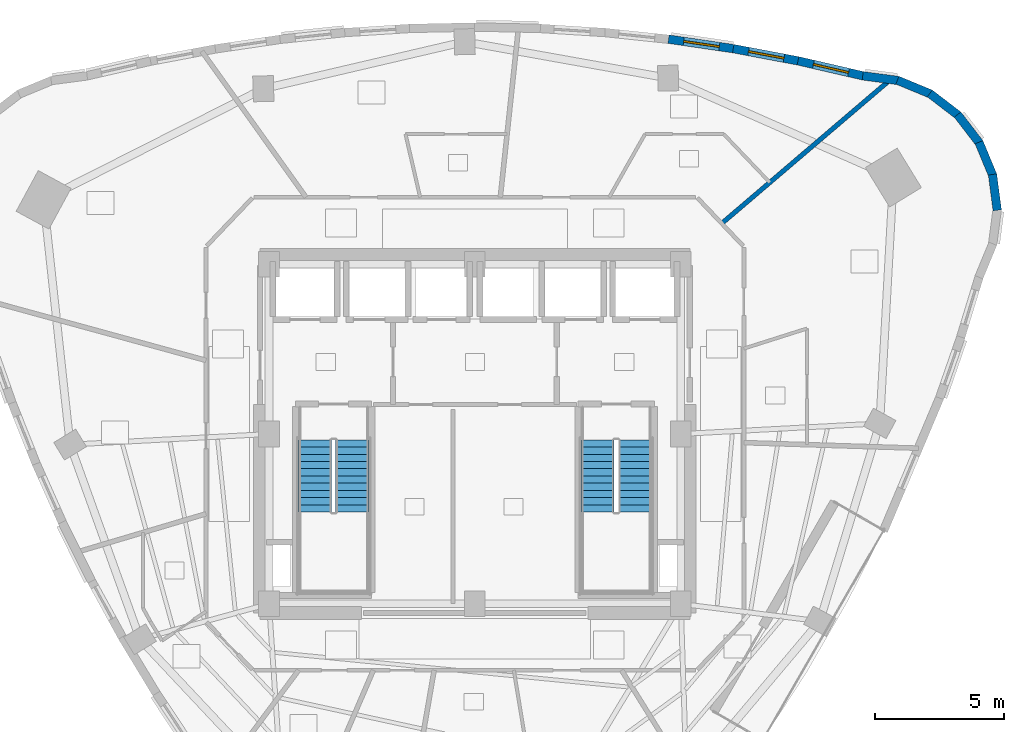
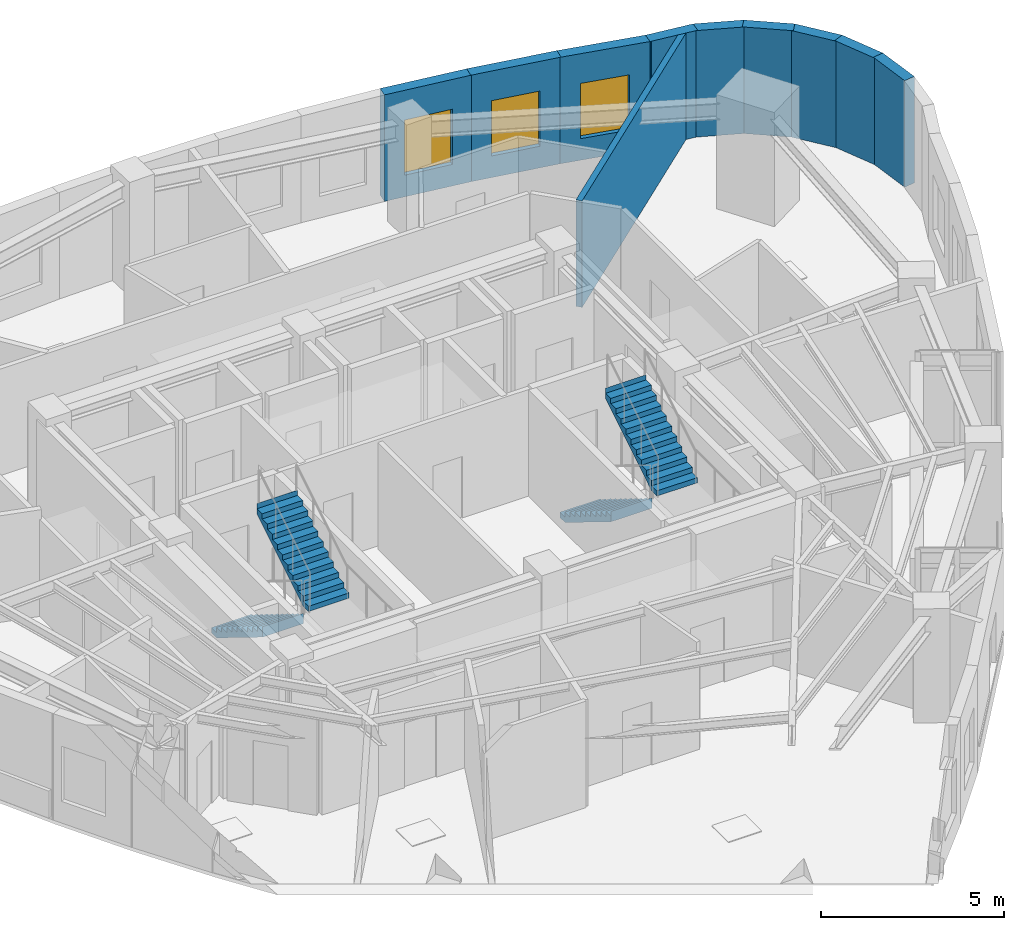
# One storey, part 9 of 12: 10 walls, 4 stair flights, 3 windows, 3 openings, 2 elements without a shape of their own.
"""IFC4 building model written with IfcOpenShell, lengths in metres."""

from ifc_helpers import new_model, si_unit, direction, frame, frame_2d, origin, place, context, subcontext, project, spatial, polyline, rectangle, outline, extrude, material, layer, layer_set, type_object, element, fill, aggregate, save


model = new_model("IFC4")

# Units and contexts
model_context = context("Model", 3, precision=1e-05, world=origin(), true_north=direction((0.0, 1.0)))
body_context = subcontext(model_context, "Body", "Model", "MODEL_VIEW")
ifc_project = project(units=[si_unit("LENGTHUNIT", "METRE"), si_unit("AREAUNIT", "SQUARE_METRE"), si_unit("VOLUMEUNIT", "CUBIC_METRE"), si_unit("PLANEANGLEUNIT", "RADIAN"), si_unit("MASSUNIT", "GRAM", prefix="KILO")], contexts=[model_context])

# Site, building, storey
site_placement = place(None, origin())
site = spatial("IfcSite", under=ifc_project, at=site_placement, CompositionType="ELEMENT")
building_placement = place(site_placement, origin())
building = spatial("IfcBuilding", under=site, at=building_placement, Name="Ndelora Gate Hotel", CompositionType="ELEMENT")
storey_placement = place(building_placement, frame((0.0, 0.0, 209.35009765625)))
storey = spatial("IfcBuildingStorey", under=building, at=storey_placement, Name="L52", CompositionType="ELEMENT", Elevation=209.35009765625)

# Walls
ifc_material_1 = material(Name="Acoustic Double-Stud Gypsum Assembly", Category="gypsum")
ifc_layer_1 = layer(ifc_material_1, 0.179931640625)
ifc_layer_set_1 = layer_set([ifc_layer_1], Name="Acoustic Double-Stud Gypsum Assembly")
wall_type_1 = type_object("IfcWallType", Name="WL-ACOUST-180", PredefinedType="PARTITIONING", material=ifc_layer_set_1)
wall_1_placement = place(storey_placement, frame((9.591064453125, 8.18115234375, 0.0), z_axis=(0.0, 0.0, 1.0), x_axis=(0.760815854362, 0.648967823356, 0.0)))
element("IfcWall", 1, at=wall_1_placement, inside=storey, type_object=wall_type_1, Name="L52 Interior Wall IW-3", PredefinedType="PARTITIONING", context=body_context, shape_type="SweptSolid", body=[
    extrude(rectangle(XDim=8.619873046875, YDim=0.179931640625, at=frame_2d((4.31005859375, 0.0))), origin(), (0.0, 0.0, 1.0), 3.5498046875),
])
ifc_material_2 = material(Name="Clay Brick Masonry", Category="masonry")
ifc_layer_2 = layer(ifc_material_2, 0.330078125)
ifc_layer_set_2 = layer_set([ifc_layer_2], Name="Clay Brick Masonry")
wall_type_2 = type_object("IfcWallType", Name="WL-BRICK-330", PredefinedType="SOLIDWALL", material=ifc_layer_set_2)
for number, where, z_axis, x_axis, name in (
    (2, (20.11279296875, 10.084716796875, 0.0), (0.0, 0.0, 1.0), (0.130607061093, -0.991434211429, 0.0), "L52 Tower Brick Pier-and-Spandrel Wall TWR-41"),
    (3, (19.587158203125, 11.337158203125, 0.0), (0.0, 0.0, 1.0), (0.382668413767, -0.923885753275, 0.0), "L52 Tower Brick Pier-and-Spandrel Wall TWR-42"),
    (4, (18.755126953125, 12.410888671875, 0.0), (0.0, 0.0, 1.0), (0.608679143886, -0.793416473107, 0.0), "L52 Tower Brick Pier-and-Spandrel Wall TWR-43"),
):
    element("IfcWall", number, at=place(storey_placement, frame(where, z_axis=z_axis, x_axis=x_axis)), inside=storey, type_object=wall_type_2, Name=name, PredefinedType="SOLIDWALL", context=body_context, shape_type="SweptSolid", body=[
        extrude(rectangle(XDim=1.407470703125, YDim=0.330078125, at=frame_2d((0.70361328125, 0.0))), origin(), (0.0, 0.0, 1.0), 3.5498046875),
    ])
wall_2_placement = place(storey_placement, frame((17.673583984375, 13.232666015625, 0.0), z_axis=(0.0, 0.0, 1.0), x_axis=(0.793352193746, -0.608762923213, 0.0)))
element("IfcWall", 5, at=wall_2_placement, inside=storey, type_object=wall_type_2, Name="L52 Tower Brick Pier-and-Spandrel Wall TWR-44", PredefinedType="SOLIDWALL", context=body_context, shape_type="SweptSolid", body=[
    extrude(rectangle(XDim=1.4072265625, YDim=0.330078125, at=frame_2d((0.70361328125, 0.0))), origin(), (0.0, 0.0, 1.0), 3.5498046875),
])
for number, where, z_axis, x_axis, name in (
    (6, (16.416015625, 13.74658203125, 0.0), (0.0, 0.0, 1.0), (0.923885753275, -0.382668413767, 0.0), "L52 Tower Brick Pier-and-Spandrel Wall TWR-45"),
    (7, (15.068603515625, 13.91748046875, 0.0), (0.0, 0.0, 1.0), (0.991434211429, -0.130607061093, 0.0), "L52 Tower Brick Pier-and-Spandrel Wall TWR-46"),
):
    element("IfcWall", number, at=place(storey_placement, frame(where, z_axis=z_axis, x_axis=x_axis)), inside=storey, type_object=wall_type_2, Name=name, PredefinedType="SOLIDWALL", context=body_context, shape_type="SweptSolid", body=[
        extrude(rectangle(XDim=1.407470703125, YDim=0.330078125, at=frame_2d((0.70361328125, 0.0))), origin(), (0.0, 0.0, 1.0), 3.5498046875),
    ])

# Wall, opening, window
wall_3_placement = place(storey_placement, frame((12.553466796875, 14.500244140625, 0.0), z_axis=(0.0, 0.0, 1.0), x_axis=(0.974386504753, -0.224879833145, 0.0)))
wall_3 = element("IfcWall", 8, at=wall_3_placement, inside=storey, type_object=wall_type_2, Name="L52 Tower Brick Pier-and-Spandrel Wall TWR-47", PredefinedType="SOLIDWALL", context=body_context, shape_type="SweptSolid", body=[
    extrude(rectangle(XDim=2.631591796875, YDim=0.330078125, at=frame_2d((1.31591796875, 0.0))), origin(), (0.0, 0.0, 1.0), 3.5498046875),
])
opening_1_placement = place(wall_3_placement, frame((0.61572265625, 0.0, 0.719970703125)))
opening_1 = element("IfcOpeningElement", 9, at=opening_1_placement, cuts=wall_3, Name="Opening W02", PredefinedType="OPENING", context=body_context, shape_type="SweptSolid", body=[
    extrude(rectangle(XDim=1.39990234375, YDim=1.840087890625, at=frame_2d((0.699951171875, 0.919921875))), frame((0.0, 0.175048828125, 0.0), z_axis=(0.0, -1.0, 0.0), x_axis=(1.0, 0.0, 0.0)), (0.0, 0.0, 1.0), 0.35009765625),
])
ifc_material_3 = material(Name="Insulated Low-E Double Glazing in Bronze Aluminium Frame", Category="aluminium")
window_type = type_object("IfcWindowType", Name="WN-DEEP-1400", PartitioningType="SINGLE_PANEL", PredefinedType="WINDOW", material=ifc_material_3)
window_1_placement = place(opening_1_placement, origin())
window_1 = element("IfcWindow", 10, at=window_1_placement, inside=storey, type_object=window_type, Name="L52 Deep-Set Brick-Pier Window W02", OverallHeight=1.840087890625, OverallWidth=1.39990234375, PartitioningType="SINGLE_PANEL", PredefinedType="WINDOW", context=body_context, shape_type="SweptSolid", body=[
    extrude(rectangle(XDim=1.39990234375, YDim=1.840087890625, at=frame_2d((0.699951171875, 0.919921875))), frame((0.0, 0.030029296875, 0.0), z_axis=(0.0, -1.0, 0.0), x_axis=(1.0, 0.0, 0.0)), (0.0, 0.0, 1.0), 0.06005859375),
])
fill(opening_1, window_1)

wall_4_placement = place(storey_placement, frame((10.03759765625, 14.974365234375, 0.0), z_axis=(0.0, 0.0, 1.0), x_axis=(0.982628840182, -0.185581686713, 0.0)))
wall_4 = element("IfcWall", 11, at=wall_4_placement, inside=storey, type_object=wall_type_2, Name="L52 Tower Brick Pier-and-Spandrel Wall TWR-48", PredefinedType="SOLIDWALL", context=body_context, shape_type="SweptSolid", body=[
    extrude(rectangle(XDim=2.610107421875, YDim=0.330078125, at=frame_2d((1.30517578125, 0.0))), origin(), (0.0, 0.0, 1.0), 3.5498046875),
])
opening_2_placement = place(wall_4_placement, frame((0.60498046875, 0.0, 0.719970703125)))
opening_2 = element("IfcOpeningElement", 12, at=opening_2_placement, cuts=wall_4, Name="Opening W02", PredefinedType="OPENING", context=body_context, shape_type="SweptSolid", body=[
    extrude(rectangle(XDim=1.39990234375, YDim=1.840087890625, at=frame_2d((0.699951171875, 0.919921875))), frame((0.0, 0.175048828125, 0.0), z_axis=(0.0, -1.0, 0.0), x_axis=(1.0, 0.0, 0.0)), (0.0, 0.0, 1.0), 0.35009765625),
])
window_2_placement = place(opening_2_placement, origin())
window_2 = element("IfcWindow", 13, at=window_2_placement, inside=storey, type_object=window_type, Name="L52 Deep-Set Brick-Pier Window W02", OverallHeight=1.840087890625, OverallWidth=1.39990234375, PartitioningType="SINGLE_PANEL", PredefinedType="WINDOW", context=body_context, shape_type="SweptSolid", body=[
    extrude(rectangle(XDim=1.39990234375, YDim=1.840087890625, at=frame_2d((0.699951171875, 0.919921875))), frame((0.0, 0.030029296875, 0.0), z_axis=(0.0, -1.0, 0.0), x_axis=(1.0, 0.0, 0.0)), (0.0, 0.0, 1.0), 0.06005859375),
])
fill(opening_2, window_2)

wall_5_placement = place(storey_placement, frame((7.52197265625, 15.3427734375, 0.0), z_axis=(0.0, 0.0, 1.0), x_axis=(0.989386229934, -0.145309628097, 0.0)))
wall_5 = element("IfcWall", 14, at=wall_5_placement, inside=storey, type_object=wall_type_2, Name="L52 Tower Brick Pier-and-Spandrel Wall TWR-49", PredefinedType="SOLIDWALL", context=body_context, shape_type="SweptSolid", body=[
    extrude(rectangle(XDim=2.592529296875, YDim=0.330078125, at=frame_2d((1.29638671875, 0.0))), origin(), (0.0, 0.0, 1.0), 3.5498046875),
])
opening_3_placement = place(wall_5_placement, frame((0.59619140625, 0.0, 0.719970703125)))
opening_3 = element("IfcOpeningElement", 15, at=opening_3_placement, cuts=wall_5, Name="Opening W02", PredefinedType="OPENING", context=body_context, shape_type="SweptSolid", body=[
    extrude(rectangle(XDim=1.39990234375, YDim=1.840087890625, at=frame_2d((0.699951171875, 0.919921875))), frame((0.0, 0.175048828125, 0.0), z_axis=(0.0, -1.0, 0.0), x_axis=(1.0, 0.0, 0.0)), (0.0, 0.0, 1.0), 0.35009765625),
])
window_3_placement = place(opening_3_placement, origin())
window_3 = element("IfcWindow", 16, at=window_3_placement, inside=storey, type_object=window_type, Name="L52 Deep-Set Brick-Pier Window W02", OverallHeight=1.840087890625, OverallWidth=1.39990234375, PartitioningType="SINGLE_PANEL", PredefinedType="WINDOW", context=body_context, shape_type="SweptSolid", body=[
    extrude(rectangle(XDim=1.39990234375, YDim=1.840087890625, at=frame_2d((0.699951171875, 0.919921875))), frame((0.0, 0.030029296875, 0.0), z_axis=(0.0, -1.0, 0.0), x_axis=(1.0, 0.0, 0.0)), (0.0, 0.0, 1.0), 0.06005859375),
])
fill(opening_3, window_3)

# Stair, stair flights
ifc_material_4 = material(Name="Precast concrete C40/50", Category="concrete")
stair_type = type_object("IfcStairType", Name="STR-DOG-CORE", PredefinedType="HALF_TURN_STAIR", material=ifc_material_4)
stair_1_placement = place(storey_placement, origin())
stair_1 = element("IfcStair", 17, at=stair_1_placement, inside=storey, type_object=stair_type, Name="L52 Protected Core Exit Stair ST4", PredefinedType="HALF_TURN_STAIR")
stair_flight_type = type_object("IfcStairFlightType", Name="STF-PRECAST", PredefinedType="STRAIGHT", material=ifc_material_4)
stair_flight_1_placement = place(storey_placement, frame((-6.2099609375, -0.22998046875, 0.0), z_axis=(0.0, 0.0, 1.0), x_axis=(0.0, -1.0, 0.0)))
stair_flight_1 = element("IfcStairFlight", 18, at=stair_flight_1_placement, type_object=stair_flight_type, Name="ST4 flight 1", NumberOfRisers=11, NumberOfTreads=10, PredefinedType="STRAIGHT", RiserHeight=0.172727273, TreadLength=0.28, context=body_context, shape_type="SweptSolid", body=[
    extrude(outline(polyline([(-0.00048828125, 0.0), (-0.00048828125, 0.172607421875), (0.0, 0.172607421875), (0.280029296875, 0.172607421875), (0.280029296875, 0.345458984375), (0.56005859375, 0.345458984375), (0.56005859375, 0.51806640625), (0.840087890625, 0.51806640625), (0.840087890625, 0.69091796875), (1.1201171875, 0.69091796875), (1.1201171875, 0.863525390625), (1.39990234375, 0.863525390625), (1.39990234375, 1.036376953125), (1.679931640625, 1.036376953125), (1.679931640625, 1.208984375), (1.9599609375, 1.208984375), (1.9599609375, 1.3818359375), (2.239990234375, 1.3818359375), (2.239990234375, 1.554443359375), (2.52001953125, 1.554443359375), (2.52001953125, 1.727294921875), (2.800048828125, 1.727294921875), (2.800048828125, 1.89990234375), (2.800537109375, 1.89990234375), (2.800537109375, 1.719970703125), (2.800048828125, 1.551025390625), (0.285400390625, 0.0), (-0.00048828125, 0.0)])), frame((0.0, 0.64013671875, 0.0), z_axis=(0.0, -1.0, 0.0), x_axis=(1.0, 0.0, 0.0)), (0.0, 0.0, 1.0), 1.280029296875),
])
stair_flight_2_placement = place(storey_placement, frame((-4.77001953125, -3.030029296875, 1.89990234375), z_axis=(0.0, 0.0, 1.0), x_axis=(0.0, 1.0, 0.0)))
stair_flight_2 = element("IfcStairFlight", 19, at=stair_flight_2_placement, type_object=stair_flight_type, Name="ST4 flight 2", NumberOfRisers=11, NumberOfTreads=10, PredefinedType="STRAIGHT", RiserHeight=0.172727273, TreadLength=0.28, context=body_context, shape_type="SweptSolid", body=[
    extrude(outline(polyline([(-0.00048828125, 0.0), (-0.00048828125, 0.172607421875), (0.0, 0.172607421875), (0.280029296875, 0.172607421875), (0.280029296875, 0.345458984375), (0.56005859375, 0.345458984375), (0.56005859375, 0.51806640625), (0.840087890625, 0.51806640625), (0.840087890625, 0.69091796875), (1.1201171875, 0.69091796875), (1.1201171875, 0.863525390625), (1.39990234375, 0.863525390625), (1.39990234375, 1.036376953125), (1.679931640625, 1.036376953125), (1.679931640625, 1.208984375), (1.9599609375, 1.208984375), (1.9599609375, 1.3818359375), (2.239990234375, 1.3818359375), (2.239990234375, 1.554443359375), (2.52001953125, 1.554443359375), (2.52001953125, 1.727294921875), (2.800048828125, 1.727294921875), (2.800048828125, 1.89990234375), (2.800537109375, 1.89990234375), (2.800537109375, 1.719970703125), (2.800048828125, 1.551025390625), (0.285400390625, 0.0), (-0.00048828125, 0.0)])), frame((0.0, 0.64013671875, 0.0), z_axis=(0.0, -1.0, 0.0), x_axis=(1.0, 0.0, 0.0)), (0.0, 0.0, 1.0), 1.280029296875),
])
aggregate(stair_1, [stair_flight_1, stair_flight_2])

stair_2_placement = place(storey_placement, origin())
stair_2 = element("IfcStair", 20, at=stair_2_placement, inside=storey, type_object=stair_type, Name="L52 Protected Core Exit Stair ST5", PredefinedType="HALF_TURN_STAIR")
stair_flight_3_placement = place(storey_placement, frame((4.77001953125, -0.22998046875, 0.0), z_axis=(0.0, 0.0, 1.0), x_axis=(0.0, -1.0, 0.0)))
stair_flight_3 = element("IfcStairFlight", 21, at=stair_flight_3_placement, type_object=stair_flight_type, Name="ST5 flight 1", NumberOfRisers=11, NumberOfTreads=10, PredefinedType="STRAIGHT", RiserHeight=0.172727273, TreadLength=0.28, context=body_context, shape_type="SweptSolid", body=[
    extrude(outline(polyline([(-0.00048828125, 0.0), (-0.00048828125, 0.172607421875), (0.0, 0.172607421875), (0.280029296875, 0.172607421875), (0.280029296875, 0.345458984375), (0.56005859375, 0.345458984375), (0.56005859375, 0.51806640625), (0.840087890625, 0.51806640625), (0.840087890625, 0.69091796875), (1.1201171875, 0.69091796875), (1.1201171875, 0.863525390625), (1.39990234375, 0.863525390625), (1.39990234375, 1.036376953125), (1.679931640625, 1.036376953125), (1.679931640625, 1.208984375), (1.9599609375, 1.208984375), (1.9599609375, 1.3818359375), (2.239990234375, 1.3818359375), (2.239990234375, 1.554443359375), (2.52001953125, 1.554443359375), (2.52001953125, 1.727294921875), (2.800048828125, 1.727294921875), (2.800048828125, 1.89990234375), (2.800537109375, 1.89990234375), (2.800537109375, 1.719970703125), (2.800048828125, 1.551025390625), (0.285400390625, 0.0), (-0.00048828125, 0.0)])), frame((0.0, 0.64013671875, 0.0), z_axis=(0.0, -1.0, 0.0), x_axis=(1.0, 0.0, 0.0)), (0.0, 0.0, 1.0), 1.280029296875),
])
stair_flight_4_placement = place(storey_placement, frame((6.2099609375, -3.030029296875, 1.89990234375), z_axis=(0.0, 0.0, 1.0), x_axis=(0.0, 1.0, 0.0)))
stair_flight_4 = element("IfcStairFlight", 22, at=stair_flight_4_placement, type_object=stair_flight_type, Name="ST5 flight 2", NumberOfRisers=11, NumberOfTreads=10, PredefinedType="STRAIGHT", RiserHeight=0.172727273, TreadLength=0.28, context=body_context, shape_type="SweptSolid", body=[
    extrude(outline(polyline([(-0.00048828125, 0.0), (-0.00048828125, 0.172607421875), (0.0, 0.172607421875), (0.280029296875, 0.172607421875), (0.280029296875, 0.345458984375), (0.56005859375, 0.345458984375), (0.56005859375, 0.51806640625), (0.840087890625, 0.51806640625), (0.840087890625, 0.69091796875), (1.1201171875, 0.69091796875), (1.1201171875, 0.863525390625), (1.39990234375, 0.863525390625), (1.39990234375, 1.036376953125), (1.679931640625, 1.036376953125), (1.679931640625, 1.208984375), (1.9599609375, 1.208984375), (1.9599609375, 1.3818359375), (2.239990234375, 1.3818359375), (2.239990234375, 1.554443359375), (2.52001953125, 1.554443359375), (2.52001953125, 1.727294921875), (2.800048828125, 1.727294921875), (2.800048828125, 1.89990234375), (2.800537109375, 1.89990234375), (2.800537109375, 1.719970703125), (2.800048828125, 1.551025390625), (0.285400390625, 0.0), (-0.00048828125, 0.0)])), frame((0.0, 0.64013671875, 0.0), z_axis=(0.0, -1.0, 0.0), x_axis=(1.0, 0.0, 0.0)), (0.0, 0.0, 1.0), 1.280029296875),
])
aggregate(stair_2, [stair_flight_3, stair_flight_4])

save(model, "model.ifc")
